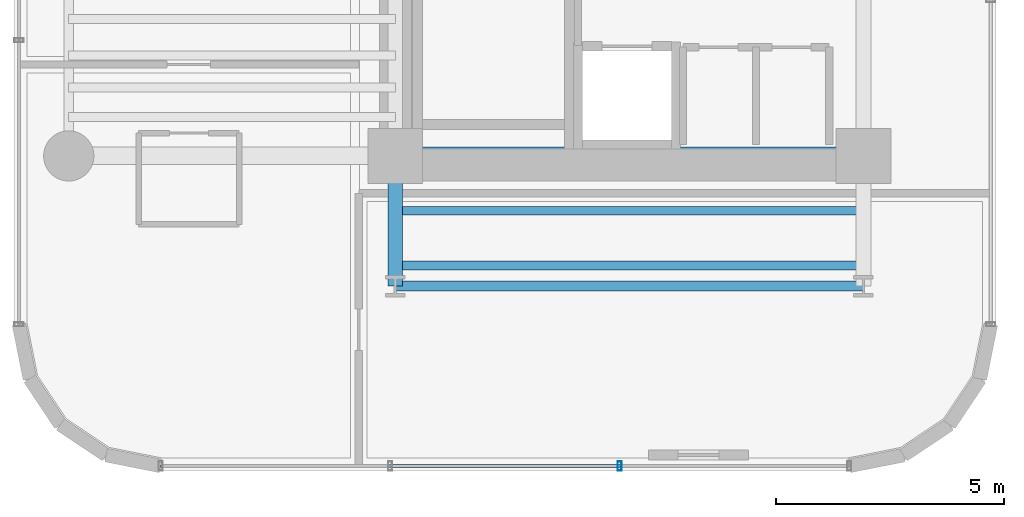
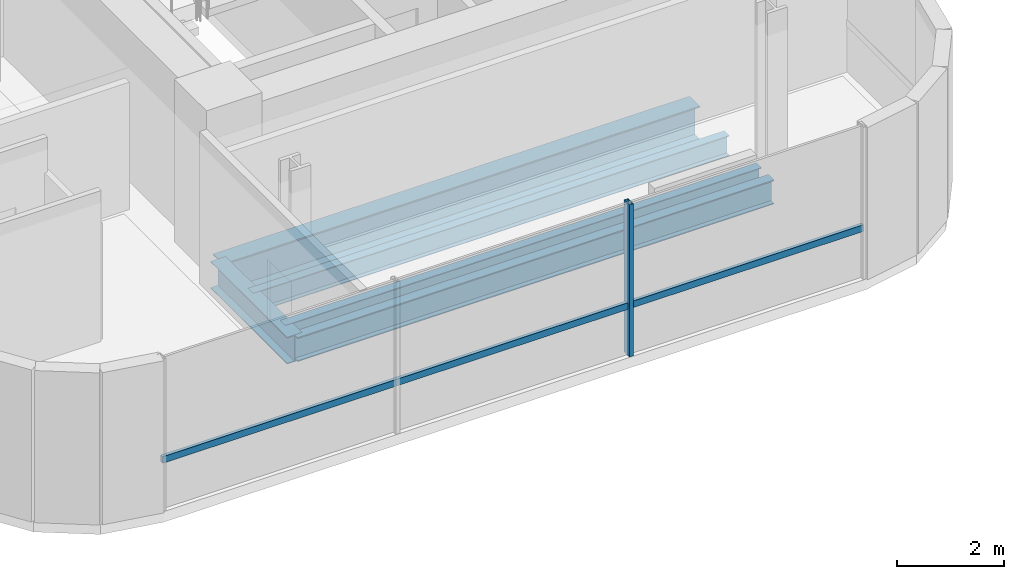
# One storey, part 3 of 35: 5 beams, 2 members, 1 element without a shape of its own.
"""IFC4 building model written with IfcOpenShell, lengths in metres."""

from ifc_helpers import new_model, si_unit, direction, frame, origin, origin_2d, place, context, subcontext, project, spatial, hollow_rectangle, i_section, extrude, source, transform, mapped, material, material_profile, profile_set, type_object, element, aggregate, save


model = new_model("IFC4")

# Units and contexts
model_context = context("Model", 3, precision=1e-05, world=origin(), true_north=direction((0.0, 1.0)))
body_context = subcontext(model_context, "Body", "Model", "MODEL_VIEW")
ifc_project = project(units=[si_unit("LENGTHUNIT", "METRE"), si_unit("AREAUNIT", "SQUARE_METRE"), si_unit("VOLUMEUNIT", "CUBIC_METRE"), si_unit("PLANEANGLEUNIT", "RADIAN"), si_unit("MASSUNIT", "GRAM", prefix="KILO")], contexts=[model_context])

# Site, building, storey
site_placement = place(None, origin())
site = spatial("IfcSite", under=ifc_project, at=site_placement, CompositionType="ELEMENT")
building_placement = place(site_placement, origin())
building = spatial("IfcBuilding", under=site, at=building_placement, Name="Valdorenza Pilgrim Sanctuary Tower", CompositionType="ELEMENT")
storey_placement = place(building_placement, frame((0.0, 0.0, 116.800048828125)))
storey = spatial("IfcBuildingStorey", under=building, at=storey_placement, Name="L29", CompositionType="ELEMENT", Elevation=116.800048828125)

# Beams
ifc_material_1 = material(Name="Steel ASTM A992 Grade 50", Category="steel")
ifc_material_profile_1 = material_profile(ifc_material_1, i_section(OverallWidth=0.214111328125, OverallDepth=0.549072265625, WebThickness=0.0146484375, FlangeThickness=0.023681640625, at=origin_2d()), Name="W21X93")
ifc_profile_set_1 = profile_set([ifc_material_profile_1], Name="Steel ASTM A992 Grade 50")
beam_type_1 = type_object("IfcBeamType", Name="STR-BM-SPN-W21A", PredefinedType="SPANDREL", material=ifc_profile_set_1)
shared_shape_1 = source(origin(), body_context, "Body", "SweptSolid", [
    extrude(i_section(OverallWidth=0.214111328125, OverallDepth=0.549072265625, WebThickness=0.0146484375, FlangeThickness=0.023681640625, at=origin_2d()), origin(), (0.0, 0.0, 1.0), 10.25),
])
beam_1_placement = place(storey_placement, frame((-22.64990234375, -13.449951171875, -0.5146484375), z_axis=(1.0, 0.0, 0.0), x_axis=(0.0, 1.0, 0.0)))
element("IfcBeam", 1, at=beam_1_placement, inside=storey, type_object=beam_type_1, Name="L29 South Spandrel WA-S-TIE", PredefinedType="SPANDREL", context=body_context, shape_type="MappedRepresentation", body=[
    mapped(shared_shape_1, transform((0.0, 0.0, 0.0), x_axis=(1.0, 0.0, 0.0), y_axis=(0.0, 1.0, 0.0), z_axis=(0.0, 0.0, 1.0), scale=1.0)),
])
ifc_material_profile_2 = material_profile(ifc_material_1, i_section(OverallWidth=0.323974609375, OverallDepth=0.611083984375, WebThickness=0.0126953125, FlangeThickness=0.01904296875, at=origin_2d()), Name="W24X104")
ifc_profile_set_2 = profile_set([ifc_material_profile_2], Name="Steel ASTM A992 Grade 50")
beam_type_2 = type_object("IfcBeamType", Name="STR-BM-GRD-W24B", PredefinedType="BEAM", material=ifc_profile_set_2)
shared_shape_2 = source(origin(), body_context, "Body", "SweptSolid", [
    extrude(i_section(OverallWidth=0.323974609375, OverallDepth=0.611083984375, WebThickness=0.0126953125, FlangeThickness=0.01904296875, at=origin_2d()), origin(), (0.0, 0.0, 1.0), 2.849853515625),
])
beam_2_placement = place(storey_placement, frame((-22.64990234375, -13.449951171875, -0.545654296875), z_axis=(0.0, 1.0, 0.0), x_axis=(-1.0, 0.0, 0.0)))
element("IfcBeam", 2, at=beam_2_placement, inside=storey, type_object=beam_type_2, Name="L29 Floor Girder WA-S-LW", PredefinedType="BEAM", context=body_context, shape_type="MappedRepresentation", body=[
    mapped(shared_shape_2, transform((0.0, 0.0, 0.0), x_axis=(1.0, 0.0, 0.0), y_axis=(0.0, 1.0, 0.0), z_axis=(0.0, 0.0, 1.0), scale=1.0)),
])
ifc_material_profile_3 = material_profile(ifc_material_1, i_section(OverallWidth=0.382080078125, OverallDepth=0.779052734375, WebThickness=0.01806640625, FlangeThickness=0.030029296875, at=origin_2d()), Name="W30X191")
ifc_profile_set_3 = profile_set([ifc_material_profile_3], Name="Steel ASTM A992 Grade 50")
beam_type_3 = type_object("IfcBeamType", Name="STR-BM-GRD-W30", PredefinedType="BEAM", material=ifc_profile_set_3)
shared_shape_3 = source(origin(), body_context, "Body", "SweptSolid", [
    extrude(i_section(OverallWidth=0.382080078125, OverallDepth=0.779052734375, WebThickness=0.01806640625, FlangeThickness=0.030029296875, at=origin_2d()), origin(), (0.0, 0.0, 1.0), 10.25),
])
beam_3_placement = place(storey_placement, frame((-22.64990234375, -10.60009765625, -0.629638671875), z_axis=(1.0, 0.0, 0.0), x_axis=(0.0, 1.0, 0.0)))
element("IfcBeam", 3, at=beam_3_placement, inside=storey, type_object=beam_type_3, Name="L29 Floor Girder CA-XC-S1", PredefinedType="BEAM", context=body_context, shape_type="MappedRepresentation", body=[
    mapped(shared_shape_3, transform((0.0, 0.0, 0.0), x_axis=(1.0, 0.0, 0.0), y_axis=(0.0, 1.0, 0.0), z_axis=(0.0, 0.0, 1.0), scale=1.0)),
])
ifc_material_profile_4 = material_profile(ifc_material_1, i_section(OverallWidth=0.19091796875, OverallDepth=0.45703125, WebThickness=0.009033203125, FlangeThickness=0.014404296875, at=origin_2d()), Name="W18X50")
ifc_profile_set_4 = profile_set([ifc_material_profile_4], Name="Steel ASTM A992 Grade 50")
beam_type_4 = type_object("IfcBeamType", Name="STR-BM-JST-W18B", PredefinedType="JOIST", material=ifc_profile_set_4)
shared_shape_4 = source(origin(), body_context, "Body", "SweptSolid", [
    extrude(i_section(OverallWidth=0.19091796875, OverallDepth=0.45703125, WebThickness=0.009033203125, FlangeThickness=0.014404296875, at=origin_2d()), origin(), (0.0, 0.0, 1.0), 10.25),
])
for number, where, z_axis, x_axis, name in (
    (4, (-22.64990234375, -13.0, -0.468505859375), (1.0, 0.0, 0.0), (0.0, 1.0, 0.0), "L29 Composite Floor Joist JST-WAS-1"),
    (5, (-22.64990234375, -11.800048828125, -0.468505859375), (1.0, 0.0, 0.0), (0.0, 1.0, 0.0), "L29 Composite Floor Joist JST-WAS-2"),
):
    element("IfcBeam", number, at=place(storey_placement, frame(where, z_axis=z_axis, x_axis=x_axis)), inside=storey, type_object=beam_type_4, Name=name, PredefinedType="JOIST", context=body_context, shape_type="MappedRepresentation", body=[
        mapped(shared_shape_4, transform((0.0, 0.0, 0.0), x_axis=(1.0, 0.0, 0.0), y_axis=(0.0, 1.0, 0.0), z_axis=(0.0, 0.0, 1.0), scale=1.0)),
    ])

# Curtain wall, members
ifc_material_2 = material(Name="Curtain-wall IGU glazing", Category="glass")
curtain_wall_type = type_object("IfcCurtainWallType", Name="CW-SYS-02", PredefinedType="NOTDEFINED", material=ifc_material_2)
curtain_wall_placement = place(storey_placement, origin())
curtain_wall = element("IfcCurtainWall", 6, at=curtain_wall_placement, inside=storey, type_object=curtain_wall_type, Name="L29 Curtain Wall CW-L29-1-46", PredefinedType="NOTDEFINED")
ifc_material_3 = material(Name="Anodised aluminium AW-6060", Category="aluminium")
ifc_material_profile_5 = material_profile(ifc_material_3, hollow_rectangle(XDim=0.0849609375, YDim=0.199951171875, WallThickness=0.0048828125, at=origin_2d()), Name="ALU-M 200x85x5")
ifc_profile_set_5 = profile_set([ifc_material_profile_5], Name="Anodised aluminium AW-6060")
member_type_1 = type_object("IfcMemberType", Name="CW-MUL-02", PredefinedType="MULLION", material=ifc_profile_set_5)
shared_shape_5 = source(origin(), body_context, "Body", "SweptSolid", [
    extrude(hollow_rectangle(XDim=0.0849609375, YDim=0.199951171875, WallThickness=0.0048828125, at=origin_2d()), origin(), (0.0, 0.0, 1.0), 3.4599609375),
])
member_1_placement = place(storey_placement, frame((-17.73681640625, -17.389892578125, 0.0), z_axis=(0.0, 0.0, 1.0), x_axis=(-1.0, 0.0, 0.0)))
member_1 = element("IfcMember", 7, at=member_1_placement, type_object=member_type_1, Name="CW-L29-1-46 Mullion 2", PredefinedType="MULLION", context=body_context, shape_type="MappedRepresentation", body=[
    mapped(shared_shape_5, transform((0.0, 0.0, 0.0), x_axis=(1.0, 0.0, 0.0), y_axis=(0.0, 1.0, 0.0), z_axis=(0.0, 0.0, 1.0), scale=1.0)),
])
ifc_material_profile_6 = material_profile(ifc_material_3, hollow_rectangle(XDim=0.074951171875, YDim=0.14990234375, WallThickness=0.00390625, at=origin_2d()), Name="ALU-T 150x75x4")
ifc_profile_set_6 = profile_set([ifc_material_profile_6], Name="Anodised aluminium AW-6060")
member_type_2 = type_object("IfcMemberType", Name="CW-TRN-02", PredefinedType="USERDEFINED", material=ifc_profile_set_6)
shared_shape_6 = source(origin(), body_context, "Body", "SweptSolid", [
    extrude(hollow_rectangle(XDim=0.074951171875, YDim=0.14990234375, WallThickness=0.00390625, at=origin_2d()), origin(), (0.0, 0.0, 1.0), 15.07861328125),
])
member_2_placement = place(storey_placement, frame((-12.710693359375, -17.389892578125, 1.119873046875), z_axis=(-1.0, 0.0, 0.0), x_axis=(0.0, -1.0, 0.0)))
member_2 = element("IfcMember", 8, at=member_2_placement, type_object=member_type_2, Name="CW-L29-1-46 Transom 1", ObjectType="TRANSOM", PredefinedType="USERDEFINED", context=body_context, shape_type="MappedRepresentation", body=[
    mapped(shared_shape_6, transform((0.0, 0.0, 0.0), x_axis=(1.0, 0.0, 0.0), y_axis=(0.0, 1.0, 0.0), z_axis=(0.0, 0.0, 1.0), scale=1.0)),
])
aggregate(curtain_wall, [member_1, member_2])

save(model, "model.ifc")
